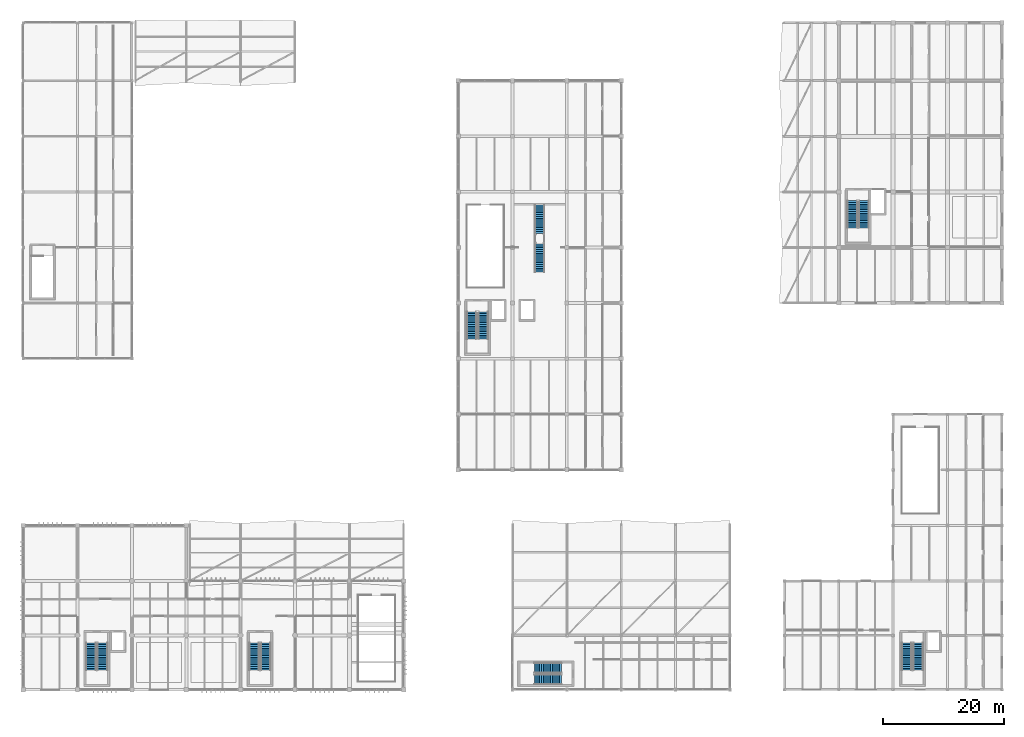
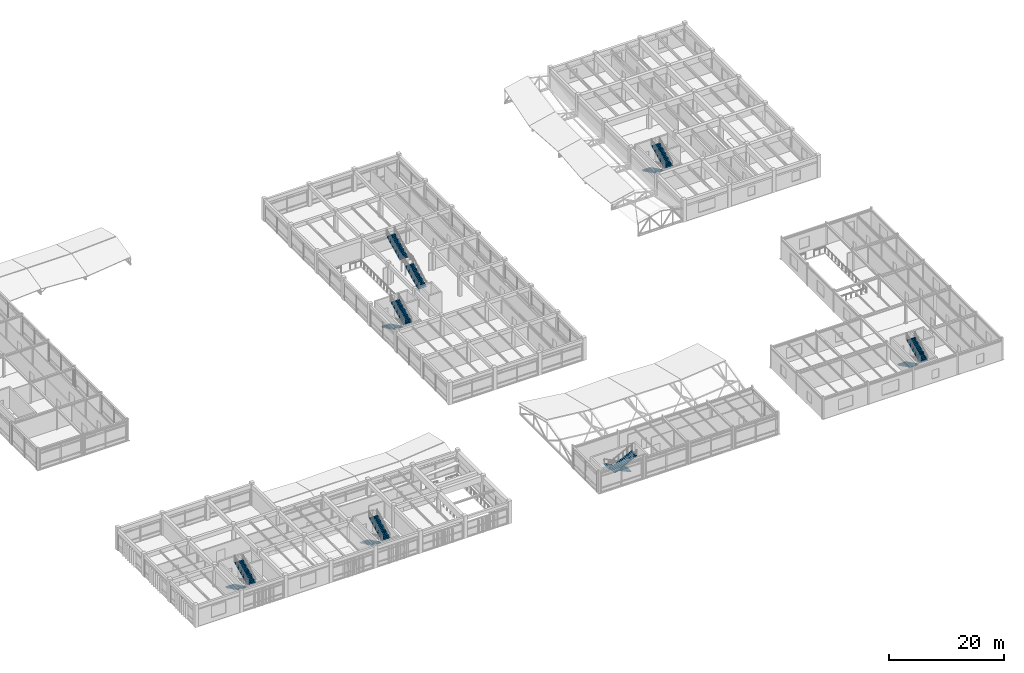
# One storey, part 79 of 90: 14 stair flights, 7 elements without a shape of their own.
"""IFC4 building model written with IfcOpenShell, lengths in metres."""

from ifc_helpers import new_model, si_unit, direction, frame, origin, place, context, subcontext, project, spatial, polyline, outline, extrude, material, type_object, element, aggregate, save


model = new_model("IFC4")

# Units and contexts
model_context = context("Model", 3, precision=1e-05, world=origin(), true_north=direction((0.0, 1.0)))
body_context = subcontext(model_context, "Body", "Model", "MODEL_VIEW")
ifc_project = project(units=[si_unit("LENGTHUNIT", "METRE"), si_unit("AREAUNIT", "SQUARE_METRE"), si_unit("VOLUMEUNIT", "CUBIC_METRE"), si_unit("PLANEANGLEUNIT", "RADIAN"), si_unit("MASSUNIT", "GRAM", prefix="KILO")], contexts=[model_context])

# Site, building, storey
site_placement = place(None, origin())
site = spatial("IfcSite", under=ifc_project, at=site_placement, CompositionType="ELEMENT")
building_placement = place(site_placement, origin())
building = spatial("IfcBuilding", under=site, at=building_placement, Name="Bozkorgan Art Gallery", CompositionType="ELEMENT")
storey_placement = place(building_placement, frame((0.0, 0.0, 5.39990234375)))
storey = spatial("IfcBuildingStorey", under=building, at=storey_placement, Name="L01", CompositionType="ELEMENT", Elevation=5.39990234375)

# Stair, stair flights
ifc_material_1 = material(Name="Steel S355J2", Category="steel")
stair_type_1 = type_object("IfcStairType", Name="FSTAIR-ST10", PredefinedType="STRAIGHT_RUN_STAIR", material=ifc_material_1)
stair_1_placement = place(storey_placement, origin())
stair_1 = element("IfcStair", 1, at=stair_1_placement, inside=storey, type_object=stair_type_1, Name="ST10 Feature Stair (L01 to L02)", PredefinedType="STRAIGHT_RUN_STAIR")
stair_flight_type_1 = type_object("IfcStairFlightType", Name="FSFLT-ST10", PredefinedType="STRAIGHT", material=ifc_material_1)
stair_flight_1_placement = place(storey_placement, frame((87.5, 71.1298828125, 0.0), z_axis=(0.0, 0.0, 1.0), x_axis=(0.0, 1.0, 0.0)))
stair_flight_1 = element("IfcStairFlight", 2, at=stair_flight_1_placement, type_object=stair_flight_type_1, Name="ST10 lower monumental stair flight", NumberOfRisers=16, NumberOfTreads=15, PredefinedType="STRAIGHT", RiserHeight=0.15, TreadLength=0.31, context=body_context, shape_type="SweptSolid", body=[
    extrude(outline(polyline([(0.0, 0.0), (0.0, 0.14990234375), (0.31005859375, 0.14990234375), (0.31005859375, 0.300048828125), (0.6201171875, 0.300048828125), (0.6201171875, 0.449951171875), (0.929931640625, 0.449951171875), (0.929931640625, 0.60009765625), (1.239990234375, 0.60009765625), (1.239990234375, 0.75), (1.550048828125, 0.75), (1.550048828125, 0.89990234375), (1.860107421875, 0.89990234375), (1.860107421875, 1.050048828125), (2.169921875, 1.050048828125), (2.169921875, 1.199951171875), (2.47998046875, 1.199951171875), (2.47998046875, 1.35009765625), (2.7900390625, 1.35009765625), (2.7900390625, 1.5), (3.10009765625, 1.5), (3.10009765625, 1.64990234375), (3.409912109375, 1.64990234375), (3.409912109375, 1.800048828125), (3.719970703125, 1.800048828125), (3.719970703125, 1.949951171875), (4.030029296875, 1.949951171875), (4.030029296875, 2.10009765625), (4.340087890625, 2.10009765625), (4.340087890625, 2.25), (4.64990234375, 2.25), (4.64990234375, 2.39990234375), (4.64990234375, 2.005615234375), (0.505126953125, 0.0), (0.0, 0.0)])), frame((0.0, 0.81005859375, 0.0), z_axis=(0.0, -1.0, 0.0), x_axis=(1.0, 0.0, 0.0)), (0.0, 0.0, 1.0), 1.6201171875),
])
stair_flight_2_placement = place(storey_placement, frame((87.5, 77.550048828125, 2.400146484375), z_axis=(0.0, 0.0, 1.0), x_axis=(0.0, 1.0, 0.0)))
stair_flight_2 = element("IfcStairFlight", 3, at=stair_flight_2_placement, type_object=stair_flight_type_1, Name="ST10 upper monumental stair flight", NumberOfRisers=16, NumberOfTreads=15, PredefinedType="STRAIGHT", RiserHeight=0.15, TreadLength=0.31, context=body_context, shape_type="SweptSolid", body=[
    extrude(outline(polyline([(0.0, 0.0), (0.0, 0.14990234375), (0.31005859375, 0.14990234375), (0.31005859375, 0.300048828125), (0.6201171875, 0.300048828125), (0.6201171875, 0.449951171875), (0.929931640625, 0.449951171875), (0.929931640625, 0.60009765625), (1.239990234375, 0.60009765625), (1.239990234375, 0.75), (1.550048828125, 0.75), (1.550048828125, 0.89990234375), (1.860107421875, 0.89990234375), (1.860107421875, 1.050048828125), (2.169921875, 1.050048828125), (2.169921875, 1.199951171875), (2.47998046875, 1.199951171875), (2.47998046875, 1.35009765625), (2.7900390625, 1.35009765625), (2.7900390625, 1.5), (3.10009765625, 1.5), (3.10009765625, 1.64990234375), (3.409912109375, 1.64990234375), (3.409912109375, 1.800048828125), (3.719970703125, 1.800048828125), (3.719970703125, 1.949951171875), (4.030029296875, 1.949951171875), (4.030029296875, 2.10009765625), (4.340087890625, 2.10009765625), (4.340087890625, 2.25), (4.64990234375, 2.25), (4.64990234375, 2.39990234375), (4.64990234375, 2.005615234375), (0.505126953125, 0.0), (0.0, 0.0)])), frame((0.0, 0.81005859375, 0.0), z_axis=(0.0, -1.0, 0.0), x_axis=(1.0, 0.0, 0.0)), (0.0, 0.0, 1.0), 1.6201171875),
])
aggregate(stair_1, [stair_flight_1, stair_flight_2])

ifc_material_2 = material(Name="Concrete C35/45", Category="concrete")
stair_type_2 = type_object("IfcStairType", Name="STAIR-CORE1", PredefinedType="HALF_TURN_STAIR", material=ifc_material_2)
stair_2_placement = place(storey_placement, origin())
stair_2 = element("IfcStair", 4, at=stair_2_placement, inside=storey, type_object=stair_type_2, Name="L01 ST1 Core Stair", PredefinedType="HALF_TURN_STAIR")
stair_flight_type_2 = type_object("IfcStairFlightType", Name="SFLT-CORE1", PredefinedType="STRAIGHT", material=ifc_material_2)
stair_flight_3_placement = place(storey_placement, frame((13.25, 9.75, 0.0), z_axis=(0.0, 0.0, 1.0), x_axis=(0.0, -1.0, 0.0)))
stair_flight_3 = element("IfcStairFlight", 5, at=stair_flight_3_placement, type_object=stair_flight_type_2, Name="ST1 flight 1", NumberOfRisers=16, NumberOfTreads=15, PredefinedType="STRAIGHT", RiserHeight=0.15, TreadLength=0.3, context=body_context, shape_type="SweptSolid", body=[
    extrude(outline(polyline([(0.0, 0.0), (0.0, 0.14990234375), (0.300048828125, 0.14990234375), (0.300048828125, 0.300048828125), (0.60009765625, 0.300048828125), (0.60009765625, 0.449951171875), (0.89990234375, 0.449951171875), (0.89990234375, 0.60009765625), (1.199951171875, 0.60009765625), (1.199951171875, 0.75), (1.5, 0.75), (1.5, 0.89990234375), (1.800048828125, 0.89990234375), (1.800048828125, 1.050048828125), (2.10009765625, 1.050048828125), (2.10009765625, 1.199951171875), (2.39990234375, 1.199951171875), (2.39990234375, 1.35009765625), (2.699951171875, 1.35009765625), (2.699951171875, 1.5), (3.0, 1.5), (3.0, 1.64990234375), (3.300048828125, 1.64990234375), (3.300048828125, 1.800048828125), (3.60009765625, 1.800048828125), (3.60009765625, 1.949951171875), (3.89990234375, 1.949951171875), (3.89990234375, 2.10009765625), (4.199951171875, 2.10009765625), (4.199951171875, 2.25), (4.5, 2.25), (4.5, 2.39990234375), (4.5, 2.08251953125), (0.335205078125, 0.0), (0.0, 0.0)])), frame((0.0, 0.85009765625, 0.0), z_axis=(0.0, -1.0, 0.0), x_axis=(1.0, 0.0, 0.0)), (0.0, 0.0, 1.0), 1.699951171875),
])
stair_flight_4_placement = place(storey_placement, frame((15.14990234375, 5.25, 2.400146484375), z_axis=(0.0, 0.0, 1.0), x_axis=(0.0, 1.0, 0.0)))
stair_flight_4 = element("IfcStairFlight", 6, at=stair_flight_4_placement, type_object=stair_flight_type_2, Name="ST1 flight 2", NumberOfRisers=16, NumberOfTreads=15, PredefinedType="STRAIGHT", RiserHeight=0.15, TreadLength=0.3, context=body_context, shape_type="SweptSolid", body=[
    extrude(outline(polyline([(0.0, 0.0), (0.0, 0.14990234375), (0.300048828125, 0.14990234375), (0.300048828125, 0.300048828125), (0.60009765625, 0.300048828125), (0.60009765625, 0.449951171875), (0.89990234375, 0.449951171875), (0.89990234375, 0.60009765625), (1.199951171875, 0.60009765625), (1.199951171875, 0.75), (1.5, 0.75), (1.5, 0.89990234375), (1.800048828125, 0.89990234375), (1.800048828125, 1.050048828125), (2.10009765625, 1.050048828125), (2.10009765625, 1.199951171875), (2.39990234375, 1.199951171875), (2.39990234375, 1.35009765625), (2.699951171875, 1.35009765625), (2.699951171875, 1.5), (3.0, 1.5), (3.0, 1.64990234375), (3.300048828125, 1.64990234375), (3.300048828125, 1.800048828125), (3.60009765625, 1.800048828125), (3.60009765625, 1.949951171875), (3.89990234375, 1.949951171875), (3.89990234375, 2.10009765625), (4.199951171875, 2.10009765625), (4.199951171875, 2.25), (4.5, 2.25), (4.5, 2.39990234375), (4.5, 2.08251953125), (0.335205078125, 0.0), (0.0, 0.0)])), frame((0.0, 0.85009765625, 0.0), z_axis=(0.0, -1.0, 0.0), x_axis=(1.0, 0.0, 0.0)), (0.0, 0.0, 1.0), 1.699951171875),
])
aggregate(stair_2, [stair_flight_3, stair_flight_4])

stair_type_3 = type_object("IfcStairType", Name="STAIR-CORE2", PredefinedType="HALF_TURN_STAIR", material=ifc_material_2)
stair_3_placement = place(storey_placement, origin())
stair_3 = element("IfcStair", 7, at=stair_3_placement, inside=storey, type_object=stair_type_3, Name="L01 ST2 Core Stair", PredefinedType="HALF_TURN_STAIR")
stair_flight_type_3 = type_object("IfcStairFlightType", Name="SFLT-CORE2", PredefinedType="STRAIGHT", material=ifc_material_2)
stair_flight_5_placement = place(storey_placement, frame((76.25, 64.550048828125, 0.0), z_axis=(0.0, 0.0, 1.0), x_axis=(0.0, -1.0, 0.0)))
stair_flight_5 = element("IfcStairFlight", 8, at=stair_flight_5_placement, type_object=stair_flight_type_3, Name="ST2 flight 1", NumberOfRisers=16, NumberOfTreads=15, PredefinedType="STRAIGHT", RiserHeight=0.15, TreadLength=0.3, context=body_context, shape_type="SweptSolid", body=[
    extrude(outline(polyline([(0.0, 0.0), (0.0, 0.14990234375), (0.300048828125, 0.14990234375), (0.300048828125, 0.300048828125), (0.60009765625, 0.300048828125), (0.60009765625, 0.449951171875), (0.89990234375, 0.449951171875), (0.89990234375, 0.60009765625), (1.199951171875, 0.60009765625), (1.199951171875, 0.75), (1.5, 0.75), (1.5, 0.89990234375), (1.800048828125, 0.89990234375), (1.800048828125, 1.050048828125), (2.10009765625, 1.050048828125), (2.10009765625, 1.199951171875), (2.39990234375, 1.199951171875), (2.39990234375, 1.35009765625), (2.699951171875, 1.35009765625), (2.699951171875, 1.5), (3.0, 1.5), (3.0, 1.64990234375), (3.300048828125, 1.64990234375), (3.300048828125, 1.800048828125), (3.60009765625, 1.800048828125), (3.60009765625, 1.949951171875), (3.89990234375, 1.949951171875), (3.89990234375, 2.10009765625), (4.199951171875, 2.10009765625), (4.199951171875, 2.25), (4.5, 2.25), (4.5, 2.39990234375), (4.5, 2.08251953125), (0.335205078125, 0.0), (0.0, 0.0)])), frame((0.0, 0.85009765625, 0.0), z_axis=(0.0, -1.0, 0.0), x_axis=(1.0, 0.0, 0.0)), (0.0, 0.0, 1.0), 1.699951171875),
])
stair_flight_6_placement = place(storey_placement, frame((78.14990234375, 60.050048828125, 2.400146484375), z_axis=(0.0, 0.0, 1.0), x_axis=(0.0, 1.0, 0.0)))
stair_flight_6 = element("IfcStairFlight", 9, at=stair_flight_6_placement, type_object=stair_flight_type_3, Name="ST2 flight 2", NumberOfRisers=16, NumberOfTreads=15, PredefinedType="STRAIGHT", RiserHeight=0.15, TreadLength=0.3, context=body_context, shape_type="SweptSolid", body=[
    extrude(outline(polyline([(0.0, 0.0), (0.0, 0.14990234375), (0.300048828125, 0.14990234375), (0.300048828125, 0.300048828125), (0.60009765625, 0.300048828125), (0.60009765625, 0.449951171875), (0.89990234375, 0.449951171875), (0.89990234375, 0.60009765625), (1.199951171875, 0.60009765625), (1.199951171875, 0.75), (1.5, 0.75), (1.5, 0.89990234375), (1.800048828125, 0.89990234375), (1.800048828125, 1.050048828125), (2.10009765625, 1.050048828125), (2.10009765625, 1.199951171875), (2.39990234375, 1.199951171875), (2.39990234375, 1.35009765625), (2.699951171875, 1.35009765625), (2.699951171875, 1.5), (3.0, 1.5), (3.0, 1.64990234375), (3.300048828125, 1.64990234375), (3.300048828125, 1.800048828125), (3.60009765625, 1.800048828125), (3.60009765625, 1.949951171875), (3.89990234375, 1.949951171875), (3.89990234375, 2.10009765625), (4.199951171875, 2.10009765625), (4.199951171875, 2.25), (4.5, 2.25), (4.5, 2.39990234375), (4.5, 2.08251953125), (0.335205078125, 0.0), (0.0, 0.0)])), frame((0.0, 0.85009765625, 0.0), z_axis=(0.0, -1.0, 0.0), x_axis=(1.0, 0.0, 0.0)), (0.0, 0.0, 1.0), 1.699951171875),
])
aggregate(stair_3, [stair_flight_5, stair_flight_6])

stair_type_4 = type_object("IfcStairType", Name="STAIR-CORE3", PredefinedType="HALF_TURN_STAIR", material=ifc_material_2)
stair_4_placement = place(storey_placement, origin())
stair_4 = element("IfcStair", 10, at=stair_4_placement, inside=storey, type_object=stair_type_4, Name="L01 ST3 Core Stair", PredefinedType="HALF_TURN_STAIR")
stair_flight_type_4 = type_object("IfcStairFlightType", Name="SFLT-CORE3", PredefinedType="STRAIGHT", material=ifc_material_2)
stair_flight_7_placement = place(storey_placement, frame((139.25, 82.949951171875, 0.0), z_axis=(0.0, 0.0, 1.0), x_axis=(0.0, -1.0, 0.0)))
stair_flight_7 = element("IfcStairFlight", 11, at=stair_flight_7_placement, type_object=stair_flight_type_4, Name="ST3 flight 1", NumberOfRisers=16, NumberOfTreads=15, PredefinedType="STRAIGHT", RiserHeight=0.15, TreadLength=0.3, context=body_context, shape_type="SweptSolid", body=[
    extrude(outline(polyline([(0.0, 0.0), (0.0, 0.14990234375), (0.300048828125, 0.14990234375), (0.300048828125, 0.300048828125), (0.60009765625, 0.300048828125), (0.60009765625, 0.449951171875), (0.89990234375, 0.449951171875), (0.89990234375, 0.60009765625), (1.199951171875, 0.60009765625), (1.199951171875, 0.75), (1.5, 0.75), (1.5, 0.89990234375), (1.800048828125, 0.89990234375), (1.800048828125, 1.050048828125), (2.10009765625, 1.050048828125), (2.10009765625, 1.199951171875), (2.39990234375, 1.199951171875), (2.39990234375, 1.35009765625), (2.699951171875, 1.35009765625), (2.699951171875, 1.5), (3.0, 1.5), (3.0, 1.64990234375), (3.300048828125, 1.64990234375), (3.300048828125, 1.800048828125), (3.60009765625, 1.800048828125), (3.60009765625, 1.949951171875), (3.89990234375, 1.949951171875), (3.89990234375, 2.10009765625), (4.199951171875, 2.10009765625), (4.199951171875, 2.25), (4.5, 2.25), (4.5, 2.39990234375), (4.5, 2.08251953125), (0.335205078125, 0.0), (0.0, 0.0)])), frame((0.0, 0.85009765625, 0.0), z_axis=(0.0, -1.0, 0.0), x_axis=(1.0, 0.0, 0.0)), (0.0, 0.0, 1.0), 1.699951171875),
])
stair_flight_8_placement = place(storey_placement, frame((141.14990234375, 78.449951171875, 2.400146484375), z_axis=(0.0, 0.0, 1.0), x_axis=(0.0, 1.0, 0.0)))
stair_flight_8 = element("IfcStairFlight", 12, at=stair_flight_8_placement, type_object=stair_flight_type_4, Name="ST3 flight 2", NumberOfRisers=16, NumberOfTreads=15, PredefinedType="STRAIGHT", RiserHeight=0.15, TreadLength=0.3, context=body_context, shape_type="SweptSolid", body=[
    extrude(outline(polyline([(0.0, 0.0), (0.0, 0.14990234375), (0.300048828125, 0.14990234375), (0.300048828125, 0.300048828125), (0.60009765625, 0.300048828125), (0.60009765625, 0.449951171875), (0.89990234375, 0.449951171875), (0.89990234375, 0.60009765625), (1.199951171875, 0.60009765625), (1.199951171875, 0.75), (1.5, 0.75), (1.5, 0.89990234375), (1.800048828125, 0.89990234375), (1.800048828125, 1.050048828125), (2.10009765625, 1.050048828125), (2.10009765625, 1.199951171875), (2.39990234375, 1.199951171875), (2.39990234375, 1.35009765625), (2.699951171875, 1.35009765625), (2.699951171875, 1.5), (3.0, 1.5), (3.0, 1.64990234375), (3.300048828125, 1.64990234375), (3.300048828125, 1.800048828125), (3.60009765625, 1.800048828125), (3.60009765625, 1.949951171875), (3.89990234375, 1.949951171875), (3.89990234375, 2.10009765625), (4.199951171875, 2.10009765625), (4.199951171875, 2.25), (4.5, 2.25), (4.5, 2.39990234375), (4.5, 2.08251953125), (0.335205078125, 0.0), (0.0, 0.0)])), frame((0.0, 0.85009765625, 0.0), z_axis=(0.0, -1.0, 0.0), x_axis=(1.0, 0.0, 0.0)), (0.0, 0.0, 1.0), 1.699951171875),
])
aggregate(stair_4, [stair_flight_7, stair_flight_8])

stair_type_5 = type_object("IfcStairType", Name="STAIR-CORE4", PredefinedType="HALF_TURN_STAIR", material=ifc_material_2)
stair_5_placement = place(storey_placement, origin())
stair_5 = element("IfcStair", 13, at=stair_5_placement, inside=storey, type_object=stair_type_5, Name="L01 ST4 Core Stair", PredefinedType="HALF_TURN_STAIR")
stair_flight_type_5 = type_object("IfcStairFlightType", Name="SFLT-CORE4", PredefinedType="STRAIGHT", material=ifc_material_2)
stair_flight_9_placement = place(storey_placement, frame((148.25, 9.75, 0.0), z_axis=(0.0, 0.0, 1.0), x_axis=(0.0, -1.0, 0.0)))
stair_flight_9 = element("IfcStairFlight", 14, at=stair_flight_9_placement, type_object=stair_flight_type_5, Name="ST4 flight 1", NumberOfRisers=16, NumberOfTreads=15, PredefinedType="STRAIGHT", RiserHeight=0.15, TreadLength=0.3, context=body_context, shape_type="SweptSolid", body=[
    extrude(outline(polyline([(0.0, 0.0), (0.0, 0.14990234375), (0.300048828125, 0.14990234375), (0.300048828125, 0.300048828125), (0.60009765625, 0.300048828125), (0.60009765625, 0.449951171875), (0.89990234375, 0.449951171875), (0.89990234375, 0.60009765625), (1.199951171875, 0.60009765625), (1.199951171875, 0.75), (1.5, 0.75), (1.5, 0.89990234375), (1.800048828125, 0.89990234375), (1.800048828125, 1.050048828125), (2.10009765625, 1.050048828125), (2.10009765625, 1.199951171875), (2.39990234375, 1.199951171875), (2.39990234375, 1.35009765625), (2.699951171875, 1.35009765625), (2.699951171875, 1.5), (3.0, 1.5), (3.0, 1.64990234375), (3.300048828125, 1.64990234375), (3.300048828125, 1.800048828125), (3.60009765625, 1.800048828125), (3.60009765625, 1.949951171875), (3.89990234375, 1.949951171875), (3.89990234375, 2.10009765625), (4.199951171875, 2.10009765625), (4.199951171875, 2.25), (4.5, 2.25), (4.5, 2.39990234375), (4.5, 2.08251953125), (0.335205078125, 0.0), (0.0, 0.0)])), frame((0.0, 0.85009765625, 0.0), z_axis=(0.0, -1.0, 0.0), x_axis=(1.0, 0.0, 0.0)), (0.0, 0.0, 1.0), 1.699951171875),
])
stair_flight_10_placement = place(storey_placement, frame((150.14990234375, 5.25, 2.400146484375), z_axis=(0.0, 0.0, 1.0), x_axis=(0.0, 1.0, 0.0)))
stair_flight_10 = element("IfcStairFlight", 15, at=stair_flight_10_placement, type_object=stair_flight_type_5, Name="ST4 flight 2", NumberOfRisers=16, NumberOfTreads=15, PredefinedType="STRAIGHT", RiserHeight=0.15, TreadLength=0.3, context=body_context, shape_type="SweptSolid", body=[
    extrude(outline(polyline([(0.0, 0.0), (0.0, 0.14990234375), (0.300048828125, 0.14990234375), (0.300048828125, 0.300048828125), (0.60009765625, 0.300048828125), (0.60009765625, 0.449951171875), (0.89990234375, 0.449951171875), (0.89990234375, 0.60009765625), (1.199951171875, 0.60009765625), (1.199951171875, 0.75), (1.5, 0.75), (1.5, 0.89990234375), (1.800048828125, 0.89990234375), (1.800048828125, 1.050048828125), (2.10009765625, 1.050048828125), (2.10009765625, 1.199951171875), (2.39990234375, 1.199951171875), (2.39990234375, 1.35009765625), (2.699951171875, 1.35009765625), (2.699951171875, 1.5), (3.0, 1.5), (3.0, 1.64990234375), (3.300048828125, 1.64990234375), (3.300048828125, 1.800048828125), (3.60009765625, 1.800048828125), (3.60009765625, 1.949951171875), (3.89990234375, 1.949951171875), (3.89990234375, 2.10009765625), (4.199951171875, 2.10009765625), (4.199951171875, 2.25), (4.5, 2.25), (4.5, 2.39990234375), (4.5, 2.08251953125), (0.335205078125, 0.0), (0.0, 0.0)])), frame((0.0, 0.85009765625, 0.0), z_axis=(0.0, -1.0, 0.0), x_axis=(1.0, 0.0, 0.0)), (0.0, 0.0, 1.0), 1.699951171875),
])
aggregate(stair_5, [stair_flight_9, stair_flight_10])

stair_type_6 = type_object("IfcStairType", Name="STAIR-CORE6", PredefinedType="HALF_TURN_STAIR", material=ifc_material_2)
stair_6_placement = place(storey_placement, origin())
stair_6 = element("IfcStair", 16, at=stair_6_placement, inside=storey, type_object=stair_type_6, Name="L01 ST6 Core Stair", PredefinedType="HALF_TURN_STAIR")
stair_flight_type_6 = type_object("IfcStairFlightType", Name="SFLT-CORE6", PredefinedType="STRAIGHT", material=ifc_material_2)
stair_flight_11_placement = place(storey_placement, frame((91.10009765625, 5.60009765625, 0.0), z_axis=(0.0, 0.0, 1.0), x_axis=(-1.0, 0.0, 0.0)))
stair_flight_11 = element("IfcStairFlight", 17, at=stair_flight_11_placement, type_object=stair_flight_type_6, Name="ST6 flight 1", NumberOfRisers=16, NumberOfTreads=15, PredefinedType="STRAIGHT", RiserHeight=0.15, TreadLength=0.3, context=body_context, shape_type="SweptSolid", body=[
    extrude(outline(polyline([(0.0, 0.0), (0.0, 0.14990234375), (0.300048828125, 0.14990234375), (0.300048828125, 0.300048828125), (0.60009765625, 0.300048828125), (0.60009765625, 0.449951171875), (0.89990234375, 0.449951171875), (0.89990234375, 0.60009765625), (1.199951171875, 0.60009765625), (1.199951171875, 0.75), (1.5, 0.75), (1.5, 0.89990234375), (1.800048828125, 0.89990234375), (1.800048828125, 1.050048828125), (2.10009765625, 1.050048828125), (2.10009765625, 1.199951171875), (2.39990234375, 1.199951171875), (2.39990234375, 1.35009765625), (2.699951171875, 1.35009765625), (2.699951171875, 1.5), (3.0, 1.5), (3.0, 1.64990234375), (3.300048828125, 1.64990234375), (3.300048828125, 1.800048828125), (3.60009765625, 1.800048828125), (3.60009765625, 1.949951171875), (3.89990234375, 1.949951171875), (3.89990234375, 2.10009765625), (4.199951171875, 2.10009765625), (4.199951171875, 2.25), (4.5, 2.25), (4.5, 2.39990234375), (4.5, 2.08251953125), (0.335205078125, 0.0), (0.0, 0.0)])), frame((0.0, 0.85009765625, 0.0), z_axis=(0.0, -1.0, 0.0), x_axis=(1.0, 0.0, 0.0)), (0.0, 0.0, 1.0), 1.699951171875),
])
stair_flight_12_placement = place(storey_placement, frame((86.60009765625, 3.699951171875, 2.400146484375), z_axis=(0.0, 0.0, 1.0), x_axis=(1.0, 0.0, 0.0)))
stair_flight_12 = element("IfcStairFlight", 18, at=stair_flight_12_placement, type_object=stair_flight_type_6, Name="ST6 flight 2", NumberOfRisers=16, NumberOfTreads=15, PredefinedType="STRAIGHT", RiserHeight=0.15, TreadLength=0.3, context=body_context, shape_type="SweptSolid", body=[
    extrude(outline(polyline([(0.0, 0.0), (0.0, 0.14990234375), (0.300048828125, 0.14990234375), (0.300048828125, 0.300048828125), (0.60009765625, 0.300048828125), (0.60009765625, 0.449951171875), (0.89990234375, 0.449951171875), (0.89990234375, 0.60009765625), (1.199951171875, 0.60009765625), (1.199951171875, 0.75), (1.5, 0.75), (1.5, 0.89990234375), (1.800048828125, 0.89990234375), (1.800048828125, 1.050048828125), (2.10009765625, 1.050048828125), (2.10009765625, 1.199951171875), (2.39990234375, 1.199951171875), (2.39990234375, 1.35009765625), (2.699951171875, 1.35009765625), (2.699951171875, 1.5), (3.0, 1.5), (3.0, 1.64990234375), (3.300048828125, 1.64990234375), (3.300048828125, 1.800048828125), (3.60009765625, 1.800048828125), (3.60009765625, 1.949951171875), (3.89990234375, 1.949951171875), (3.89990234375, 2.10009765625), (4.199951171875, 2.10009765625), (4.199951171875, 2.25), (4.5, 2.25), (4.5, 2.39990234375), (4.5, 2.08251953125), (0.335205078125, 0.0), (0.0, 0.0)])), frame((0.0, 0.85009765625, 0.0), z_axis=(0.0, -1.0, 0.0), x_axis=(1.0, 0.0, 0.0)), (0.0, 0.0, 1.0), 1.699951171875),
])
aggregate(stair_6, [stair_flight_11, stair_flight_12])

stair_type_7 = type_object("IfcStairType", Name="STAIR-CORE7", PredefinedType="HALF_TURN_STAIR", material=ifc_material_2)
stair_7_placement = place(storey_placement, origin())
stair_7 = element("IfcStair", 19, at=stair_7_placement, inside=storey, type_object=stair_type_7, Name="L01 ST12 Core Stair", PredefinedType="HALF_TURN_STAIR")
stair_flight_type_7 = type_object("IfcStairFlightType", Name="SFLT-CORE7", PredefinedType="STRAIGHT", material=ifc_material_2)
stair_flight_13_placement = place(storey_placement, frame((40.25, 9.75, 0.0), z_axis=(0.0, 0.0, 1.0), x_axis=(0.0, -1.0, 0.0)))
stair_flight_13 = element("IfcStairFlight", 20, at=stair_flight_13_placement, type_object=stair_flight_type_7, Name="ST12 flight 1", NumberOfRisers=16, NumberOfTreads=15, PredefinedType="STRAIGHT", RiserHeight=0.15, TreadLength=0.3, context=body_context, shape_type="SweptSolid", body=[
    extrude(outline(polyline([(0.0, 0.0), (0.0, 0.14990234375), (0.300048828125, 0.14990234375), (0.300048828125, 0.300048828125), (0.60009765625, 0.300048828125), (0.60009765625, 0.449951171875), (0.89990234375, 0.449951171875), (0.89990234375, 0.60009765625), (1.199951171875, 0.60009765625), (1.199951171875, 0.75), (1.5, 0.75), (1.5, 0.89990234375), (1.800048828125, 0.89990234375), (1.800048828125, 1.050048828125), (2.10009765625, 1.050048828125), (2.10009765625, 1.199951171875), (2.39990234375, 1.199951171875), (2.39990234375, 1.35009765625), (2.699951171875, 1.35009765625), (2.699951171875, 1.5), (3.0, 1.5), (3.0, 1.64990234375), (3.300048828125, 1.64990234375), (3.300048828125, 1.800048828125), (3.60009765625, 1.800048828125), (3.60009765625, 1.949951171875), (3.89990234375, 1.949951171875), (3.89990234375, 2.10009765625), (4.199951171875, 2.10009765625), (4.199951171875, 2.25), (4.5, 2.25), (4.5, 2.39990234375), (4.5, 2.08251953125), (0.335205078125, 0.0), (0.0, 0.0)])), frame((0.0, 0.85009765625, 0.0), z_axis=(0.0, -1.0, 0.0), x_axis=(1.0, 0.0, 0.0)), (0.0, 0.0, 1.0), 1.699951171875),
])
stair_flight_14_placement = place(storey_placement, frame((42.14990234375, 5.25, 2.400146484375), z_axis=(0.0, 0.0, 1.0), x_axis=(0.0, 1.0, 0.0)))
stair_flight_14 = element("IfcStairFlight", 21, at=stair_flight_14_placement, type_object=stair_flight_type_7, Name="ST12 flight 2", NumberOfRisers=16, NumberOfTreads=15, PredefinedType="STRAIGHT", RiserHeight=0.15, TreadLength=0.3, context=body_context, shape_type="SweptSolid", body=[
    extrude(outline(polyline([(0.0, 0.0), (0.0, 0.14990234375), (0.300048828125, 0.14990234375), (0.300048828125, 0.300048828125), (0.60009765625, 0.300048828125), (0.60009765625, 0.449951171875), (0.89990234375, 0.449951171875), (0.89990234375, 0.60009765625), (1.199951171875, 0.60009765625), (1.199951171875, 0.75), (1.5, 0.75), (1.5, 0.89990234375), (1.800048828125, 0.89990234375), (1.800048828125, 1.050048828125), (2.10009765625, 1.050048828125), (2.10009765625, 1.199951171875), (2.39990234375, 1.199951171875), (2.39990234375, 1.35009765625), (2.699951171875, 1.35009765625), (2.699951171875, 1.5), (3.0, 1.5), (3.0, 1.64990234375), (3.300048828125, 1.64990234375), (3.300048828125, 1.800048828125), (3.60009765625, 1.800048828125), (3.60009765625, 1.949951171875), (3.89990234375, 1.949951171875), (3.89990234375, 2.10009765625), (4.199951171875, 2.10009765625), (4.199951171875, 2.25), (4.5, 2.25), (4.5, 2.39990234375), (4.5, 2.08251953125), (0.335205078125, 0.0), (0.0, 0.0)])), frame((0.0, 0.85009765625, 0.0), z_axis=(0.0, -1.0, 0.0), x_axis=(1.0, 0.0, 0.0)), (0.0, 0.0, 1.0), 1.699951171875),
])
aggregate(stair_7, [stair_flight_13, stair_flight_14])

save(model, "model.ifc")
